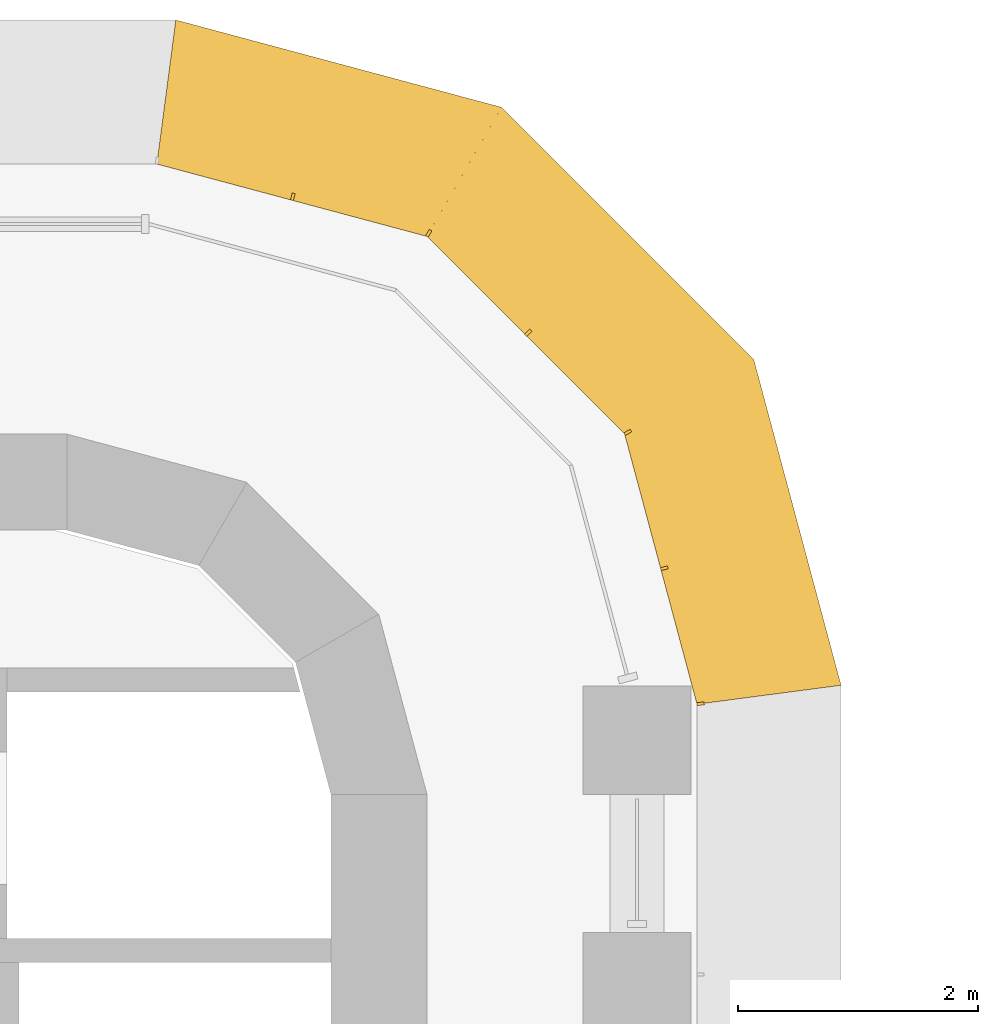
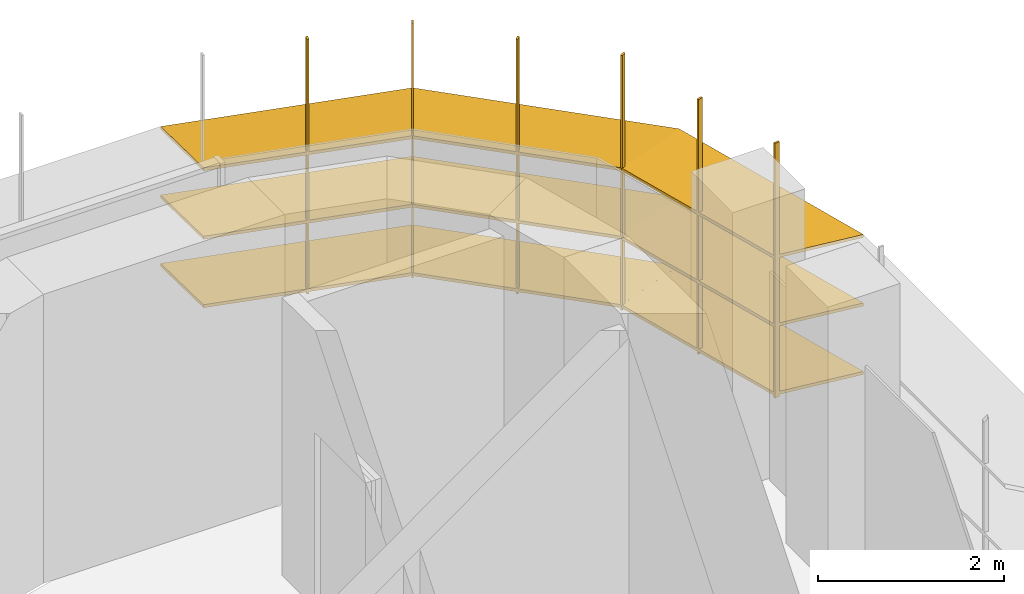
# One storey, part 21 of 21: 1 shading device.
"""IFC4 building model written with IfcOpenShell, lengths in metres."""

from ifc_helpers import new_model, si_unit, direction, frame, origin, place, context, subcontext, project, spatial, polyline, outline, extrude, faceted_brep, source, transform, mapped, material, type_object, element, save


model = new_model("IFC4")

# Units and contexts
model_context = context("Model", 3, precision=1e-05, world=origin(), true_north=direction((0.0, 1.0)))
body_context = subcontext(model_context, "Body", "Model", "MODEL_VIEW")
ifc_project = project(units=[si_unit("LENGTHUNIT", "METRE"), si_unit("AREAUNIT", "SQUARE_METRE"), si_unit("VOLUMEUNIT", "CUBIC_METRE"), si_unit("PLANEANGLEUNIT", "RADIAN"), si_unit("MASSUNIT", "GRAM", prefix="KILO")], contexts=[model_context])

# Site, building, storey
site_placement = place(None, origin())
site = spatial("IfcSite", under=ifc_project, at=site_placement, CompositionType="ELEMENT")
building_placement = place(site_placement, origin())
building = spatial("IfcBuilding", under=site, at=building_placement, Name="Zarbagh Exchange Tower", CompositionType="ELEMENT")
storey_placement = place(building_placement, frame((0.0, 0.0, 120.800048828125)))
storey = spatial("IfcBuildingStorey", under=building, at=storey_placement, Name="L28", CompositionType="ELEMENT", Elevation=120.800048828125)

# Shading device
ifc_material = material(Name="Anodised aluminium blades and brackets", Category="aluminium")
shading_device_type = type_object("IfcShadingDeviceType", Name="SUNSHADE louvre band, 11.25 degree blades", PredefinedType="JALOUSIE", material=ifc_material)
shared_shape_1 = source(origin(), body_context, "Body", "Brep", [
    faceted_brep([(0.0, 0.0, 0.0), (0.0, 0.0, -0.040771484375), (-0.157958984375, -1.199951171875, -0.279541015625), (-0.157958984375, -1.199951171875, -0.23876953125), (2.65087890625, -1.199951171875, -0.23876953125), (2.65087890625, -1.199951171875, -0.279541015625), (2.329345703125, 0.0, -0.040771484375), (2.329345703125, 0.0, 0.0)], [[[0, 1, 2, 3]], [[4, 5, 6, 7]], [[0, 7, 6, 1]], [[1, 6, 5, 2]], [[2, 5, 4, 3]], [[3, 4, 7, 0]]]),
])
shared_shape_2 = source(origin(), body_context, "Body", "Brep", [
    faceted_brep([(0.0, 0.0, 0.0), (0.0, 0.0, -0.040771484375), (-0.321533203125, -1.199951171875, -0.279541015625), (-0.321533203125, -1.199951171875, -0.23876953125), (2.65087890625, -1.199951171875, -0.23876953125), (2.65087890625, -1.199951171875, -0.279541015625), (2.329345703125, 0.0, -0.040771484375), (2.329345703125, 0.0, 0.0)], [[[0, 1, 2, 3]], [[4, 5, 6, 7]], [[0, 7, 6, 1]], [[1, 6, 5, 2]], [[2, 5, 4, 3]], [[3, 4, 7, 0]]]),
])
shared_shape_3 = source(origin(), body_context, "Body", "Brep", [
    faceted_brep([(0.0, 0.0, 0.0), (0.0, 0.0, -0.040771484375), (-0.321533203125, -1.199951171875, -0.279541015625), (-0.321533203125, -1.199951171875, -0.23876953125), (2.4873046875, -1.199951171875, -0.23876953125), (2.4873046875, -1.199951171875, -0.279541015625), (2.329345703125, 0.0, -0.040771484375), (2.329345703125, 0.0, 0.0)], [[[0, 1, 2, 3]], [[4, 5, 6, 7]], [[0, 7, 6, 1]], [[1, 6, 5, 2]], [[2, 5, 4, 3]], [[3, 4, 7, 0]]]),
])
shared_shape_4 = source(origin(), body_context, "Body", "SweptSolid", [
    extrude(outline(polyline([(0.0, -0.012451171875), (0.06005859375, -0.012451171875), (0.06005859375, 0.012451171875), (0.0, 0.012451171875), (0.0, -0.012451171875)])), origin(), (0.0, 0.0, 1.0), 3.350830078125),
])
shading_device_placement = place(storey_placement, origin())
element("IfcShadingDevice", 1, at=shading_device_placement, inside=storey, type_object=shading_device_type, Name="SS26 sunshade band", PredefinedType="JALOUSIE", context=body_context, shape_type="MappedRepresentation", body=[
    mapped(shared_shape_1, transform((6.75, 27.0, 2.300048828125), x_axis=(-0.258824779902, 0.965924289636, 0.0), y_axis=(-0.965924289636, -0.258824779902, 0.0), z_axis=(0.0, 0.0, 1.0))),
    mapped(shared_shape_1, transform((6.75, 27.0, 1.39990234375), x_axis=(-0.258824779902, 0.965924289636, 0.0), y_axis=(-0.965924289636, -0.258824779902, 0.0), z_axis=(0.0, 0.0, 1.0))),
    mapped(shared_shape_1, transform((6.75, 27.0, 0.5), x_axis=(-0.258824779902, 0.965924289636, 0.0), y_axis=(-0.965924289636, -0.258824779902, 0.0), z_axis=(0.0, 0.0, 1.0))),
    mapped(shared_shape_2, transform((6.147216796875, 29.25, 2.300048828125), x_axis=(-0.707106781187, 0.707106781187, 0.0), y_axis=(-0.707106781187, -0.707106781187, 0.0), z_axis=(0.0, 0.0, 1.0))),
    mapped(shared_shape_2, transform((6.147216796875, 29.25, 1.39990234375), x_axis=(-0.707106781187, 0.707106781187, 0.0), y_axis=(-0.707106781187, -0.707106781187, 0.0), z_axis=(0.0, 0.0, 1.0))),
    mapped(shared_shape_2, transform((6.147216796875, 29.25, 0.5), x_axis=(-0.707106781187, 0.707106781187, 0.0), y_axis=(-0.707106781187, -0.707106781187, 0.0), z_axis=(0.0, 0.0, 1.0))),
    mapped(shared_shape_3, transform((4.5, 30.897216796875, 2.300048828125), x_axis=(-0.965924289636, 0.258824779902, 0.0), y_axis=(-0.258824779902, -0.965924289636, 0.0), z_axis=(0.0, 0.0, 1.0))),
    mapped(shared_shape_3, transform((4.5, 30.897216796875, 1.39990234375), x_axis=(-0.965924289636, 0.258824779902, 0.0), y_axis=(-0.258824779902, -0.965924289636, 0.0), z_axis=(0.0, 0.0, 1.0))),
    mapped(shared_shape_3, transform((4.5, 30.897216796875, 0.5), x_axis=(-0.965924289636, 0.258824779902, 0.0), y_axis=(-0.258824779902, -0.965924289636, 0.0), z_axis=(0.0, 0.0, 1.0))),
    mapped(shared_shape_4, transform((6.75, 27.0, 0.42919921875), x_axis=(0.991444457092, 0.130529263012, 0.0), y_axis=(-0.130529263012, 0.991444457092, 0.0), z_axis=(0.0, 0.0, 1.0))),
    mapped(shared_shape_4, transform((6.448486328125, 28.125, 0.42919921875), x_axis=(0.96592421511, 0.258825058029, 0.0), y_axis=(-0.258825058029, 0.96592421511, 0.0), z_axis=(0.0, 0.0, 1.0))),
    mapped(shared_shape_4, transform((6.147216796875, 29.25, 0.42919921875), x_axis=(0.866023812018, 0.50000275701, 0.0), y_axis=(-0.50000275701, 0.866023812018, 0.0), z_axis=(0.0, 0.0, 1.0))),
    mapped(shared_shape_4, transform((5.323486328125, 30.073486328125, 0.42919921875), x_axis=(0.707106781187, 0.707106781187, 0.0), y_axis=(-0.707106781187, 0.707106781187, 0.0), z_axis=(0.0, 0.0, 1.0))),
    mapped(shared_shape_4, transform((4.5, 30.897216796875, 0.42919921875), x_axis=(0.50000275701, 0.866023812018, 0.0), y_axis=(-0.866023812018, 0.50000275701, 0.0), z_axis=(0.0, 0.0, 1.0))),
    mapped(shared_shape_4, transform((3.375, 31.198486328125, 0.42919921875), x_axis=(0.258825058029, 0.96592421511, 0.0), y_axis=(-0.96592421511, 0.258825058029, 0.0), z_axis=(0.0, 0.0, 1.0))),
])

save(model, "model.ifc")
